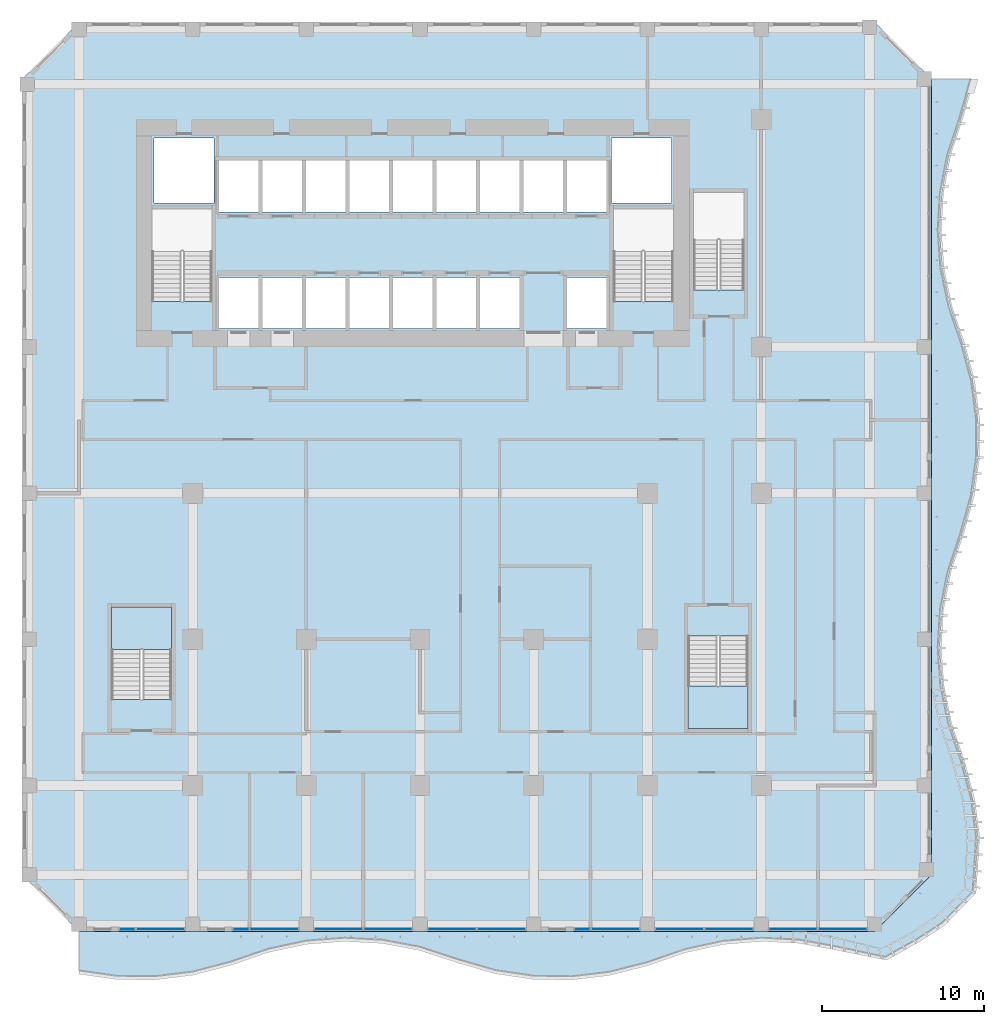
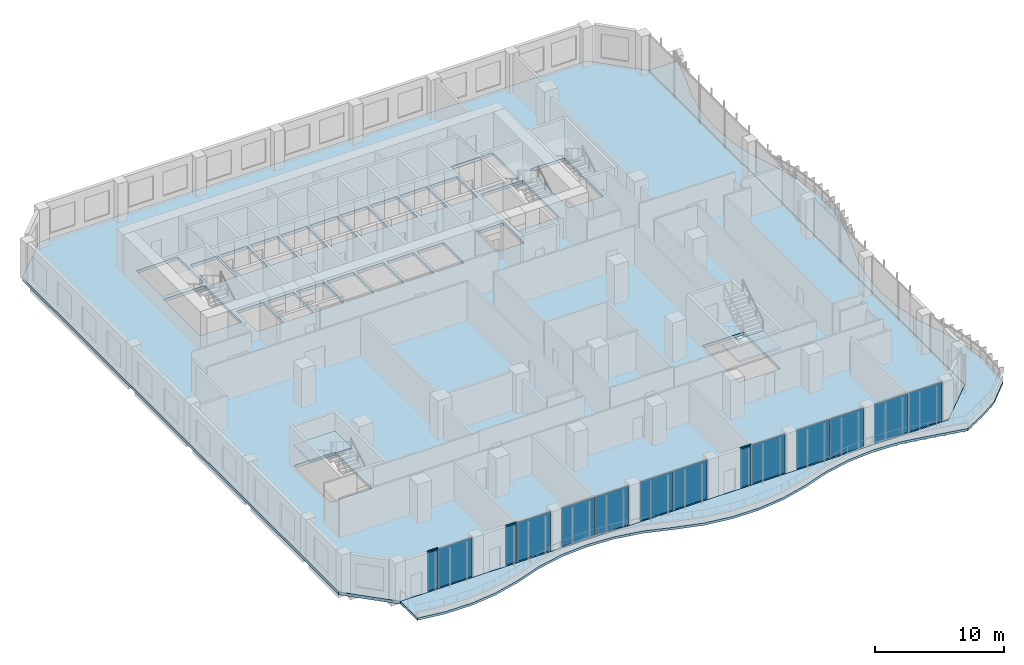
# One storey, part 12 of 29: 14 plates, 4 slabs, 3 members, 16 elements without a shape of their own.
"""IFC4 building model written with IfcOpenShell, lengths in metres."""

from ifc_helpers import new_model, si_unit, direction, frame, origin, origin_2d, place, context, subcontext, project, spatial, polyline, rectangle, outline, extrude, source, transform, mapped, material, layer, layer_set, material_profile, profile_set, type_object, element, aggregate, save


model = new_model("IFC4")

# Units and contexts
model_context = context("Model", 3, precision=1e-05, world=origin(), true_north=direction((0.0, 1.0)))
body_context = subcontext(model_context, "Body", "Model", "MODEL_VIEW")
ifc_project = project(units=[si_unit("LENGTHUNIT", "METRE"), si_unit("AREAUNIT", "SQUARE_METRE"), si_unit("VOLUMEUNIT", "CUBIC_METRE"), si_unit("PLANEANGLEUNIT", "RADIAN"), si_unit("MASSUNIT", "GRAM", prefix="KILO")], contexts=[model_context])

# Site, building, storey
site_placement = place(None, origin())
site = spatial("IfcSite", under=ifc_project, at=site_placement, CompositionType="ELEMENT")
building_placement = place(site_placement, origin())
building = spatial("IfcBuilding", under=site, at=building_placement, Name="Kilnfold Tower and Market Hall", CompositionType="ELEMENT")
storey_placement = place(building_placement, frame((0.0, 0.0, 79.199951171875)))
storey = spatial("IfcBuildingStorey", under=building, at=storey_placement, Name="L18", CompositionType="ELEMENT", Elevation=79.199951171875)

# Curtain wall, member
ifc_material_1 = material(Name="Aluminium and double glazing", Category="aluminium")
curtain_wall_type = type_object("IfcCurtainWallType", Name="CW OF1 VALLEY GLAZING", PredefinedType="NOTDEFINED", material=ifc_material_1)
curtain_wall_1_placement = place(storey_placement, origin())
curtain_wall_1 = element("IfcCurtainWall", 1, at=curtain_wall_1_placement, inside=storey, type_object=curtain_wall_type, Name="Curtain wall CW1 L18 S", PredefinedType="NOTDEFINED")
ifc_material_2 = material(Name="Aluminium", Category="aluminium")
ifc_material_profile = material_profile(ifc_material_2, rectangle(XDim=0.06005859375, YDim=0.139892578125, at=origin_2d()), Name="TRANSOM 60x140")
ifc_profile_set = profile_set([ifc_material_profile], Name="Aluminium")
member_type = type_object("IfcMemberType", Name="TRANSOM 60X140", PredefinedType="USERDEFINED", material=ifc_profile_set)
shared_shape_1 = source(origin(), body_context, "Body", "SweptSolid", [
    extrude(rectangle(XDim=0.06005859375, YDim=0.139892578125, at=origin_2d()), origin(), (0.0, 0.0, 1.0), 0.929931640625),
])
member_1_placement = place(storey_placement, frame((-16.989990234375, -27.85009765625, 3.68994140625), z_axis=(1.0, 0.0, 0.0), x_axis=(0.0, 1.0, 0.0)))
member_1 = element("IfcMember", 2, at=member_1_placement, type_object=member_type, Name="CW1 transom 1.2", ObjectType="TRANSOM", PredefinedType="USERDEFINED", context=body_context, shape_type="MappedRepresentation", body=[
    mapped(shared_shape_1, transform((0.0, 0.0, 0.0))),
])

curtain_wall_2_placement = place(storey_placement, origin())
curtain_wall_2 = element("IfcCurtainWall", 3, at=curtain_wall_2_placement, inside=storey, type_object=curtain_wall_type, Name="Curtain wall CW1 L18 S", PredefinedType="NOTDEFINED")
member_2_placement = place(storey_placement, frame((-9.989990234375, -27.85009765625, 3.68994140625), z_axis=(1.0, 0.0, 0.0), x_axis=(0.0, 1.0, 0.0)))
member_2 = element("IfcMember", 4, at=member_2_placement, type_object=member_type, Name="CW1 transom 1.2", ObjectType="TRANSOM", PredefinedType="USERDEFINED", context=body_context, shape_type="MappedRepresentation", body=[
    mapped(shared_shape_1, transform((0.0, 0.0, 0.0))),
])

curtain_wall_3_placement = place(storey_placement, origin())
curtain_wall_3 = element("IfcCurtainWall", 5, at=curtain_wall_3_placement, inside=storey, type_object=curtain_wall_type, Name="Curtain wall CW1 L18 S", PredefinedType="NOTDEFINED")
member_3_placement = place(storey_placement, frame((11.010009765625, -27.85009765625, 3.68994140625), z_axis=(1.0, 0.0, 0.0), x_axis=(0.0, 1.0, 0.0)))
member_3 = element("IfcMember", 6, at=member_3_placement, type_object=member_type, Name="CW1 transom 1.2", ObjectType="TRANSOM", PredefinedType="USERDEFINED", context=body_context, shape_type="MappedRepresentation", body=[
    mapped(shared_shape_1, transform((0.0, 0.0, 0.0))),
])

# Slab
ifc_material_3 = material(Name="Concrete C45", Category="concrete")
ifc_layer_1 = layer(ifc_material_3, 0.280029296875)
ifc_layer_set_1 = layer_set([ifc_layer_1], Name="Concrete C45")
slab_type_1 = type_object("IfcSlabType", Name="FLOOR SLAB 280", PredefinedType="FLOOR", material=ifc_layer_set_1)
shared_shape_2 = source(origin(), body_context, "Body", "SweptSolid", [
    extrude(outline(polyline([(-19.5, -28.0), (29.5, -28.0), (33.0, -24.5), (33.0, 24.5), (29.5, 28.0), (-19.5, 28.0), (-23.0, 24.5), (-23.0, -24.5), (-19.5, -28.0)]), holes=[polyline([(-13.800537109375, -13.699462890625), (-17.49951171875, -13.699462890625), (-17.49951171875, -8.00048828125), (-13.800537109375, -8.00048828125), (-13.800537109375, -13.699462890625)]), polyline([(-14.99951171875, 10.800537109375), (-14.99951171875, 16.49951171875), (-11.300537109375, 16.49951171875), (-11.300537109375, 10.800537109375), (-14.99951171875, 10.800537109375)]), polyline([(-14.875, 16.875), (-14.875, 20.875), (-11.175048828125, 20.875), (-11.175048828125, 16.875), (-14.875, 16.875)]), polyline([(-10.885009765625, 9.125), (-10.885009765625, 12.27490234375), (-8.455078125, 12.27490234375), (-8.455078125, 9.125), (-10.885009765625, 9.125)]), polyline([(-8.455078125, 16.324951171875), (-10.885009765625, 16.324951171875), (-10.885009765625, 19.47509765625), (-8.455078125, 19.47509765625), (-8.455078125, 16.324951171875)]), polyline([(-8.205078125, 9.125), (-8.205078125, 12.27490234375), (-5.77490234375, 12.27490234375), (-5.77490234375, 9.125), (-8.205078125, 9.125)]), polyline([(-8.205078125, 16.324951171875), (-8.205078125, 19.47509765625), (-5.77490234375, 19.47509765625), (-5.77490234375, 16.324951171875), (-8.205078125, 16.324951171875)]), polyline([(-3.094970703125, 9.125), (-5.52490234375, 9.125), (-5.52490234375, 12.27490234375), (-3.094970703125, 12.27490234375), (-3.094970703125, 9.125)]), polyline([(-5.52490234375, 16.324951171875), (-5.52490234375, 19.47509765625), (-3.094970703125, 19.47509765625), (-3.094970703125, 16.324951171875), (-5.52490234375, 16.324951171875)]), polyline([(-2.844970703125, 9.125), (-2.844970703125, 12.27490234375), (-0.4150390625, 12.27490234375), (-0.4150390625, 9.125), (-2.844970703125, 9.125)]), polyline([(-0.4150390625, 16.324951171875), (-2.844970703125, 16.324951171875), (-2.844970703125, 19.47509765625), (-0.4150390625, 19.47509765625), (-0.4150390625, 16.324951171875)]), polyline([(-0.1650390625, 9.125), (-0.1650390625, 12.27490234375), (2.264892578125, 12.27490234375), (2.264892578125, 9.125), (-0.1650390625, 9.125)]), polyline([(-0.1650390625, 16.324951171875), (-0.1650390625, 19.47509765625), (2.264892578125, 19.47509765625), (2.264892578125, 16.324951171875), (-0.1650390625, 16.324951171875)]), polyline([(2.514892578125, 9.125), (2.514892578125, 12.27490234375), (4.945068359375, 12.27490234375), (4.945068359375, 9.125), (2.514892578125, 9.125)]), polyline([(2.514892578125, 16.324951171875), (2.514892578125, 19.47509765625), (4.945068359375, 19.47509765625), (4.945068359375, 16.324951171875), (2.514892578125, 16.324951171875)]), polyline([(7.625, 9.125), (5.195068359375, 9.125), (5.195068359375, 12.27490234375), (7.625, 12.27490234375), (7.625, 9.125)]), polyline([(5.195068359375, 16.324951171875), (5.195068359375, 19.47509765625), (7.625, 19.47509765625), (7.625, 16.324951171875), (5.195068359375, 16.324951171875)]), polyline([(10.304931640625, 16.324951171875), (7.875, 16.324951171875), (7.875, 19.47509765625), (10.304931640625, 19.47509765625), (10.304931640625, 16.324951171875)]), polyline([(10.554931640625, 9.125), (10.554931640625, 12.27490234375), (12.985107421875, 12.27490234375), (12.985107421875, 9.125), (10.554931640625, 9.125)]), polyline([(10.554931640625, 16.324951171875), (10.554931640625, 19.47509765625), (12.985107421875, 19.47509765625), (12.985107421875, 16.324951171875), (10.554931640625, 16.324951171875)]), polyline([(13.27490234375, 16.875), (13.27490234375, 20.875), (16.97509765625, 20.875), (16.97509765625, 16.875), (13.27490234375, 16.875)]), polyline([(13.400390625, 10.800537109375), (13.400390625, 16.49951171875), (17.099609375, 16.49951171875), (17.099609375, 10.800537109375), (13.400390625, 10.800537109375)]), polyline([(18.00048828125, -9.800537109375), (21.699462890625, -9.800537109375), (21.699462890625, -15.49951171875), (18.00048828125, -15.49951171875), (18.00048828125, -9.800537109375)]), polyline([(21.449462890625, 11.50048828125), (18.3505859375, 11.50048828125), (18.3505859375, 17.49951171875), (21.449462890625, 17.49951171875), (21.449462890625, 11.50048828125)])]), origin(), (0.0, 0.0, 1.0), 0.280029296875),
])
slab_1_placement = place(storey_placement, frame((0.0, 0.0, -0.280029296875)))
element("IfcSlab", 7, at=slab_1_placement, inside=storey, type_object=slab_type_1, Name="Floor slab L18", PredefinedType="FLOOR", context=body_context, shape_type="MappedRepresentation", body=[
    mapped(shared_shape_2, transform((0.0, 0.0, 0.0))),
])

# Plate
ifc_material_4 = material(Name="Double glazed unit")
ifc_layer_2 = layer(ifc_material_4, 0.031982421875)
ifc_layer_set_2 = layer_set([ifc_layer_2], Name="Double glazed unit")
plate_type = type_object("IfcPlateType", Name="GLAZING PANEL 32", PredefinedType="CURTAIN_PANEL", material=ifc_layer_set_2)
shared_shape_3 = source(origin(), body_context, "Body", "SweptSolid", [
    extrude(rectangle(XDim=0.929931640625, YDim=0.031982421875, at=origin_2d()), origin(), (0.0, 0.0, 1.0), 3.659912109375),
])
plate_1_placement = place(storey_placement, frame((-16.52490234375, -27.85009765625, 0.0), z_axis=(0.0, 0.0, 1.0), x_axis=(1.0, 0.0, 0.0)))
plate_1 = element("IfcPlate", 8, at=plate_1_placement, type_object=plate_type, Name="CW1 panel 1.1", PredefinedType="CURTAIN_PANEL", context=body_context, shape_type="MappedRepresentation", body=[
    mapped(shared_shape_3, transform((0.0, 0.0, 0.0))),
])

aggregate(curtain_wall_1, [member_1, plate_1])

plate_2_placement = place(storey_placement, frame((-9.52490234375, -27.85009765625, 0.0), z_axis=(0.0, 0.0, 1.0), x_axis=(1.0, 0.0, 0.0)))
plate_2 = element("IfcPlate", 9, at=plate_2_placement, type_object=plate_type, Name="CW1 panel 1.1", PredefinedType="CURTAIN_PANEL", context=body_context, shape_type="MappedRepresentation", body=[
    mapped(shared_shape_3, transform((0.0, 0.0, 0.0))),
])

aggregate(curtain_wall_2, [member_2, plate_2])

plate_3_placement = place(storey_placement, frame((11.47509765625, -27.85009765625, 0.0), z_axis=(0.0, 0.0, 1.0), x_axis=(1.0, 0.0, 0.0)))
plate_3 = element("IfcPlate", 10, at=plate_3_placement, type_object=plate_type, Name="CW1 panel 1.1", PredefinedType="CURTAIN_PANEL", context=body_context, shape_type="MappedRepresentation", body=[
    mapped(shared_shape_3, transform((0.0, 0.0, 0.0))),
])

aggregate(curtain_wall_3, [member_3, plate_3])

# Curtain wall, plate
curtain_wall_4_placement = place(storey_placement, origin())
curtain_wall_4 = element("IfcCurtainWall", 11, at=curtain_wall_4_placement, inside=storey, type_object=curtain_wall_type, Name="Curtain wall CW1 L18 S", PredefinedType="NOTDEFINED")
shared_shape_4 = source(origin(), body_context, "Body", "SweptSolid", [
    extrude(rectangle(XDim=2.929931640625, YDim=0.031982421875, at=origin_2d()), origin(), (0.0, 0.0, 1.0), 3.659912109375),
])
plate_4_placement = place(storey_placement, frame((-14.47509765625, -27.85009765625, 0.0), z_axis=(0.0, 0.0, 1.0), x_axis=(1.0, 0.0, 0.0)))
plate_4 = element("IfcPlate", 12, at=plate_4_placement, type_object=plate_type, Name="CW1 panel 1.1", PredefinedType="CURTAIN_PANEL", context=body_context, shape_type="MappedRepresentation", body=[
    mapped(shared_shape_4, transform((0.0, 0.0, 0.0))),
])
aggregate(curtain_wall_4, [plate_4])

curtain_wall_5_placement = place(storey_placement, origin())
curtain_wall_5 = element("IfcCurtainWall", 13, at=curtain_wall_5_placement, inside=storey, type_object=curtain_wall_type, Name="Curtain wall CW1 L18 S", PredefinedType="NOTDEFINED")
plate_5_placement = place(storey_placement, frame((-7.47509765625, -27.85009765625, 0.0), z_axis=(0.0, 0.0, 1.0), x_axis=(1.0, 0.0, 0.0)))
plate_5 = element("IfcPlate", 14, at=plate_5_placement, type_object=plate_type, Name="CW1 panel 1.1", PredefinedType="CURTAIN_PANEL", context=body_context, shape_type="MappedRepresentation", body=[
    mapped(shared_shape_4, transform((0.0, 0.0, 0.0))),
])
aggregate(curtain_wall_5, [plate_5])

curtain_wall_6_placement = place(storey_placement, origin())
curtain_wall_6 = element("IfcCurtainWall", 15, at=curtain_wall_6_placement, inside=storey, type_object=curtain_wall_type, Name="Curtain wall CW1 L18 S", PredefinedType="NOTDEFINED")
plate_6_placement = place(storey_placement, frame((-3.52490234375, -27.85009765625, 0.0), z_axis=(0.0, 0.0, 1.0), x_axis=(1.0, 0.0, 0.0)))
plate_6 = element("IfcPlate", 16, at=plate_6_placement, type_object=plate_type, Name="CW1 panel 1.1", PredefinedType="CURTAIN_PANEL", context=body_context, shape_type="MappedRepresentation", body=[
    mapped(shared_shape_4, transform((0.0, 0.0, 0.0))),
])
aggregate(curtain_wall_6, [plate_6])

curtain_wall_7_placement = place(storey_placement, origin())
curtain_wall_7 = element("IfcCurtainWall", 17, at=curtain_wall_7_placement, inside=storey, type_object=curtain_wall_type, Name="Curtain wall CW1 L18 S", PredefinedType="NOTDEFINED")
plate_7_placement = place(storey_placement, frame((-0.47509765625, -27.85009765625, 0.0), z_axis=(0.0, 0.0, 1.0), x_axis=(1.0, 0.0, 0.0)))
plate_7 = element("IfcPlate", 18, at=plate_7_placement, type_object=plate_type, Name="CW1 panel 1.1", PredefinedType="CURTAIN_PANEL", context=body_context, shape_type="MappedRepresentation", body=[
    mapped(shared_shape_4, transform((0.0, 0.0, 0.0))),
])
aggregate(curtain_wall_7, [plate_7])

curtain_wall_8_placement = place(storey_placement, origin())
curtain_wall_8 = element("IfcCurtainWall", 19, at=curtain_wall_8_placement, inside=storey, type_object=curtain_wall_type, Name="Curtain wall CW1 L18 S", PredefinedType="NOTDEFINED")
plate_8_placement = place(storey_placement, frame((3.47509765625, -27.85009765625, 0.0), z_axis=(0.0, 0.0, 1.0), x_axis=(1.0, 0.0, 0.0)))
plate_8 = element("IfcPlate", 20, at=plate_8_placement, type_object=plate_type, Name="CW1 panel 1.1", PredefinedType="CURTAIN_PANEL", context=body_context, shape_type="MappedRepresentation", body=[
    mapped(shared_shape_4, transform((0.0, 0.0, 0.0))),
])
aggregate(curtain_wall_8, [plate_8])

curtain_wall_9_placement = place(storey_placement, origin())
curtain_wall_9 = element("IfcCurtainWall", 21, at=curtain_wall_9_placement, inside=storey, type_object=curtain_wall_type, Name="Curtain wall CW1 L18 S", PredefinedType="NOTDEFINED")
plate_9_placement = place(storey_placement, frame((6.52490234375, -27.85009765625, 0.0), z_axis=(0.0, 0.0, 1.0), x_axis=(1.0, 0.0, 0.0)))
plate_9 = element("IfcPlate", 22, at=plate_9_placement, type_object=plate_type, Name="CW1 panel 1.1", PredefinedType="CURTAIN_PANEL", context=body_context, shape_type="MappedRepresentation", body=[
    mapped(shared_shape_4, transform((0.0, 0.0, 0.0))),
])
aggregate(curtain_wall_9, [plate_9])

curtain_wall_10_placement = place(storey_placement, origin())
curtain_wall_10 = element("IfcCurtainWall", 23, at=curtain_wall_10_placement, inside=storey, type_object=curtain_wall_type, Name="Curtain wall CW1 L18 S", PredefinedType="NOTDEFINED")
plate_10_placement = place(storey_placement, frame((13.52490234375, -27.85009765625, 0.0), z_axis=(0.0, 0.0, 1.0), x_axis=(1.0, 0.0, 0.0)))
plate_10 = element("IfcPlate", 24, at=plate_10_placement, type_object=plate_type, Name="CW1 panel 1.1", PredefinedType="CURTAIN_PANEL", context=body_context, shape_type="MappedRepresentation", body=[
    mapped(shared_shape_4, transform((0.0, 0.0, 0.0))),
])
aggregate(curtain_wall_10, [plate_10])

curtain_wall_11_placement = place(storey_placement, origin())
curtain_wall_11 = element("IfcCurtainWall", 25, at=curtain_wall_11_placement, inside=storey, type_object=curtain_wall_type, Name="Curtain wall CW1 L18 S", PredefinedType="NOTDEFINED")
plate_11_placement = place(storey_placement, frame((17.47509765625, -27.85009765625, 0.0), z_axis=(0.0, 0.0, 1.0), x_axis=(1.0, 0.0, 0.0)))
plate_11 = element("IfcPlate", 26, at=plate_11_placement, type_object=plate_type, Name="CW1 panel 1.1", PredefinedType="CURTAIN_PANEL", context=body_context, shape_type="MappedRepresentation", body=[
    mapped(shared_shape_4, transform((0.0, 0.0, 0.0))),
])
aggregate(curtain_wall_11, [plate_11])

curtain_wall_12_placement = place(storey_placement, origin())
curtain_wall_12 = element("IfcCurtainWall", 27, at=curtain_wall_12_placement, inside=storey, type_object=curtain_wall_type, Name="Curtain wall CW1 L18 S", PredefinedType="NOTDEFINED")
plate_12_placement = place(storey_placement, frame((20.52490234375, -27.85009765625, 0.0), z_axis=(0.0, 0.0, 1.0), x_axis=(1.0, 0.0, 0.0)))
plate_12 = element("IfcPlate", 28, at=plate_12_placement, type_object=plate_type, Name="CW1 panel 1.1", PredefinedType="CURTAIN_PANEL", context=body_context, shape_type="MappedRepresentation", body=[
    mapped(shared_shape_4, transform((0.0, 0.0, 0.0))),
])
aggregate(curtain_wall_12, [plate_12])

curtain_wall_13_placement = place(storey_placement, origin())
curtain_wall_13 = element("IfcCurtainWall", 29, at=curtain_wall_13_placement, inside=storey, type_object=curtain_wall_type, Name="Curtain wall CW1 L18 S", PredefinedType="NOTDEFINED")
plate_13_placement = place(storey_placement, frame((24.47509765625, -27.85009765625, 0.0), z_axis=(0.0, 0.0, 1.0), x_axis=(1.0, 0.0, 0.0)))
plate_13 = element("IfcPlate", 30, at=plate_13_placement, type_object=plate_type, Name="CW1 panel 1.1", PredefinedType="CURTAIN_PANEL", context=body_context, shape_type="MappedRepresentation", body=[
    mapped(shared_shape_4, transform((0.0, 0.0, 0.0))),
])
aggregate(curtain_wall_13, [plate_13])

curtain_wall_14_placement = place(storey_placement, origin())
curtain_wall_14 = element("IfcCurtainWall", 31, at=curtain_wall_14_placement, inside=storey, type_object=curtain_wall_type, Name="Curtain wall CW1 L18 S", PredefinedType="NOTDEFINED")
plate_14_placement = place(storey_placement, frame((27.52490234375, -27.85009765625, 0.0), z_axis=(0.0, 0.0, 1.0), x_axis=(1.0, 0.0, 0.0)))
plate_14 = element("IfcPlate", 32, at=plate_14_placement, type_object=plate_type, Name="CW1 panel 1.1", PredefinedType="CURTAIN_PANEL", context=body_context, shape_type="MappedRepresentation", body=[
    mapped(shared_shape_4, transform((0.0, 0.0, 0.0))),
])
aggregate(curtain_wall_14, [plate_14])

# Slab
ifc_material_5 = material(Name="Concrete C40/50", Category="concrete")
ifc_layer_3 = layer(ifc_material_5, 0.219970703125)
ifc_layer_set_3 = layer_set([ifc_layer_3], Name="Concrete C40/50")
slab_type_2 = type_object("IfcSlabType", Name="BALCONY SLAB 220", PredefinedType="FLOOR", material=ifc_layer_set_3)
shared_shape_5 = source(origin(), body_context, "Body", "SweptSolid", [
    extrude(outline(polyline([(-19.5, -28.0), (29.5, -28.0), (33.0, -24.5), (33.0, 24.5), (35.6171875, 24.5), (34.957763671875, 22.166748046875), (34.18310546875, 19.833251953125), (33.735107421875, 17.5), (33.6005859375, 15.166748046875), (33.7724609375, 12.833251953125), (34.259765625, 10.5), (35.05615234375, 8.166748046875), (35.67431640625, 5.833251953125), (35.968505859375, 3.5), (35.95458984375, 1.166748046875), (35.632080078125, -1.166748046875), (34.98291015625, -3.5), (34.201904296875, -5.833251953125), (33.743896484375, -8.166748046875), (33.60009765625, -10.5), (33.7626953125, -12.833251953125), (34.239990234375, -15.166748046875), (35.031982421875, -17.5), (35.660400390625, -19.833251953125), (35.964111328125, -22.166748046875), (35.734130859375, -25.632568359375), (33.79248046875, -27.6259765625), (32.3798828125, -28.546630859375), (30.2294921875, -29.761474609375), (27.166748046875, -29.146728515625), (24.833251953125, -28.71826171875), (22.5, -28.602294921875), (20.166748046875, -28.792724609375), (17.833251953125, -29.2998046875), (15.5, -30.103515625), (13.166748046875, -30.701171875), (10.833251953125, -30.976318359375), (8.5, -30.94384765625), (6.166748046875, -30.602294921875), (3.833251953125, -29.932373046875), (1.5, -29.164794921875), (-0.833251953125, -28.7265625), (-3.166748046875, -28.601318359375), (-5.5, -28.782470703125), (-7.833251953125, -29.27978515625), (-10.166748046875, -30.080078125), (-12.5, -30.68798828125), (-14.833251953125, -30.972412109375), (-17.166748046875, -30.949462890625), (-19.5, -30.6171875), (-19.5, -28.0)])), origin(), (0.0, 0.0, 1.0), 0.219970703125),
])
slab_2_placement = place(storey_placement, frame((0.0, 0.0, -0.219970703125)))
element("IfcSlab", 33, at=slab_2_placement, inside=storey, type_object=slab_type_2, Name="Balcony slab L18", PredefinedType="FLOOR", context=body_context, shape_type="MappedRepresentation", body=[
    mapped(shared_shape_5, transform((0.0, 0.0, 0.0))),
])

# Stair, slab
ifc_material_6 = material(Name="Concrete C40/50", Category="concrete")
stair_type = type_object("IfcStairType", Name="CORE STAIR 1800", PredefinedType="HALF_TURN_STAIR", material=ifc_material_6)
stair_1_placement = place(storey_placement, origin())
stair_1 = element("IfcStair", 34, at=stair_1_placement, inside=storey, type_object=stair_type, Name="L18 ST3", PredefinedType="HALF_TURN_STAIR")
ifc_material_7 = material(Name="Concrete C40/50", Category="concrete")
ifc_layer_4 = layer(ifc_material_7, 0.199951171875)
ifc_layer_set_4 = layer_set([ifc_layer_4], Name="Concrete C40/50")
slab_type_3 = type_object("IfcSlabType", Name="CORE STAIR LANDING 200", PredefinedType="LANDING", material=ifc_layer_set_4)
shared_shape_6 = source(origin(), body_context, "Body", "SweptSolid", [
    extrude(outline(polyline([(-13.800048828125, -10.6201171875), (-13.800048828125, -8.0), (-17.5, -8.0), (-17.5, -10.6201171875), (-13.800048828125, -10.6201171875)])), origin(), (0.0, 0.0, 1.0), 0.199951171875),
])
slab_3_placement = place(storey_placement, frame((0.0, 0.0, 1.800048828125)))
slab_3 = element("IfcSlab", 35, at=slab_3_placement, type_object=slab_type_3, Name="ST3 landing 1", PredefinedType="LANDING", context=body_context, shape_type="MappedRepresentation", body=[
    mapped(shared_shape_6, transform((0.0, 0.0, 0.0))),
])
aggregate(stair_1, [slab_3])

stair_2_placement = place(storey_placement, origin())
stair_2 = element("IfcStair", 36, at=stair_2_placement, inside=storey, type_object=stair_type, Name="L18 ST4", PredefinedType="HALF_TURN_STAIR")
shared_shape_7 = source(origin(), body_context, "Body", "SweptSolid", [
    extrude(outline(polyline([(18.0, -12.8798828125), (18.0, -15.5), (21.699951171875, -15.5), (21.699951171875, -12.8798828125), (18.0, -12.8798828125)])), origin(), (0.0, 0.0, 1.0), 0.199951171875),
])
slab_4_placement = place(storey_placement, frame((0.0, 0.0, 1.800048828125)))
slab_4 = element("IfcSlab", 37, at=slab_4_placement, type_object=slab_type_3, Name="ST4 landing 1", PredefinedType="LANDING", context=body_context, shape_type="MappedRepresentation", body=[
    mapped(shared_shape_7, transform((0.0, 0.0, 0.0))),
])
aggregate(stair_2, [slab_4])

save(model, "model.ifc")
